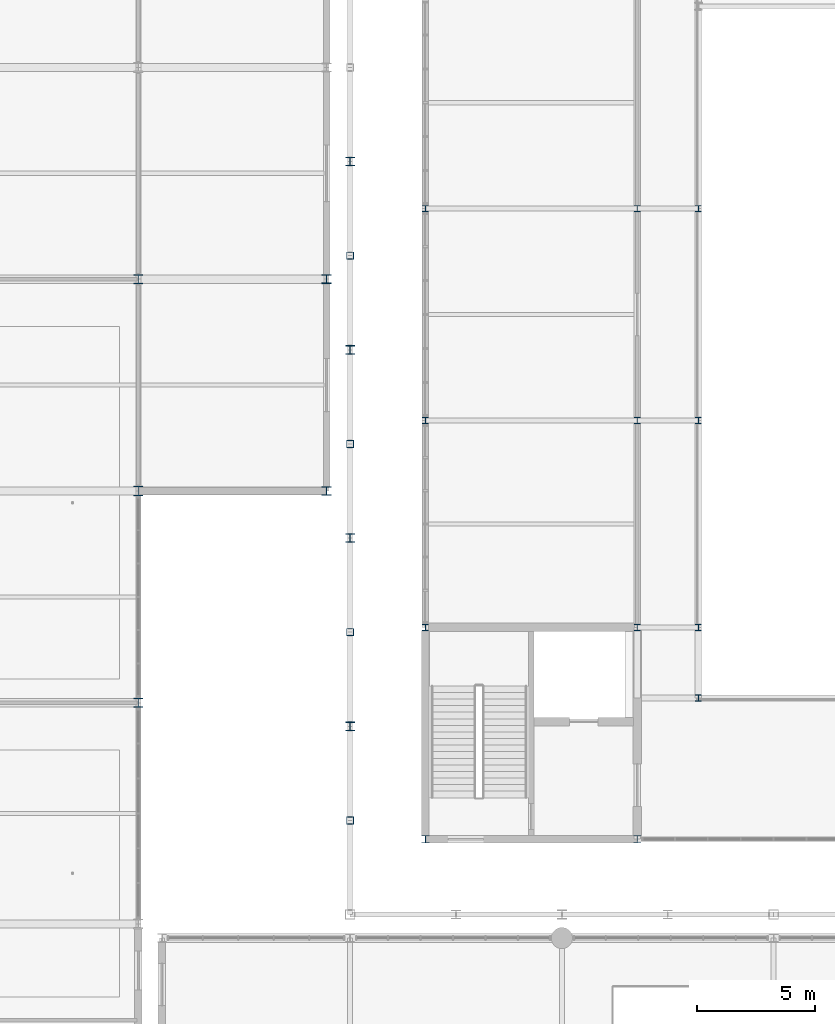
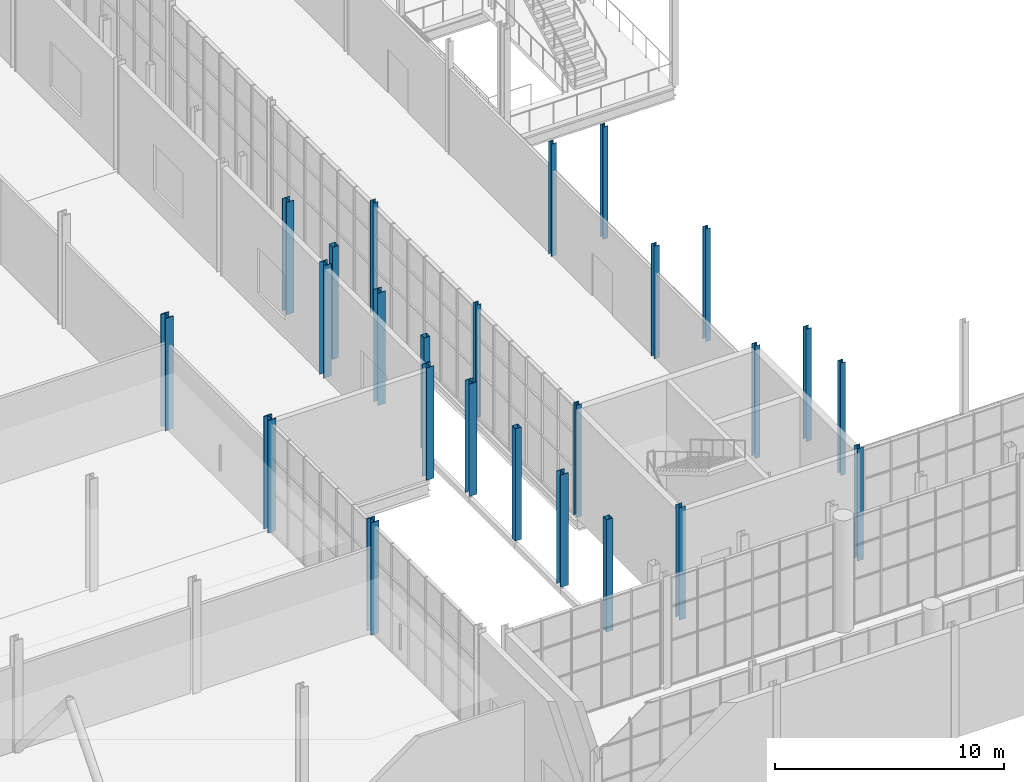
# One storey, part 9 of 159: 25 columns.
"""IFC4 building model written with IfcOpenShell, lengths in metres."""

from ifc_helpers import new_model, si_unit, direction, frame, origin, origin_2d, place, context, subcontext, project, spatial, hollow_rectangle, i_section, extrude, material, material_profile, profile_set, type_object, element, save


model = new_model("IFC4")

# Units and contexts
model_context = context("Model", 3, precision=1e-05, world=origin(), true_north=direction((0.0, 1.0)))
body_context = subcontext(model_context, "Body", "Model", "MODEL_VIEW")
ifc_project = project(units=[si_unit("LENGTHUNIT", "METRE"), si_unit("AREAUNIT", "SQUARE_METRE"), si_unit("VOLUMEUNIT", "CUBIC_METRE"), si_unit("PLANEANGLEUNIT", "RADIAN"), si_unit("MASSUNIT", "GRAM", prefix="KILO")], contexts=[model_context])

# Site, building, storey
site_placement = place(None, origin())
site = spatial("IfcSite", under=ifc_project, at=site_placement, CompositionType="ELEMENT")
building_placement = place(site_placement, origin())
building = spatial("IfcBuilding", under=site, at=building_placement, Name="Cazmaro Siding Exhibition Halls", CompositionType="ELEMENT")
storey_placement = place(building_placement, frame((0.0, 0.0, 6.0)))
storey = spatial("IfcBuildingStorey", under=building, at=storey_placement, Name="L01", CompositionType="ELEMENT", Elevation=6.0)

# Columns
ifc_material_1 = material(Name="Steel ASTM A992 Grade 50", Category="steel")
ifc_material_profile_1 = material_profile(ifc_material_1, i_section(OverallWidth=0.406005859375, OverallDepth=0.416015625, WebThickness=0.030029296875, FlangeThickness=0.048095703125, at=origin_2d()), Name="W14X257")
ifc_profile_set_1 = profile_set([ifc_material_profile_1], Name="Steel ASTM A992 Grade 50")
column_type_1 = type_object("IfcColumnType", Name="C-01", PredefinedType="COLUMN", material=ifc_profile_set_1)
for number, where, z_axis, x_axis, name in (
    (1, (36.0, 73.0, 0.0), (0.0, 0.0, 1.0), (1.0, 0.0, 0.0), "Column C-01 COL-1050"),
    (2, (36.0, 82.0, 0.0), (0.0, 0.0, 1.0), (1.0, 0.0, 0.0), "Column C-01 COL-1054"),
    (3, (36.0, 91.0, 0.0), (0.0, 0.0, 1.0), (1.0, 0.0, 0.0), "Column C-01 COL-1058"),
):
    element("IfcColumn", number, at=place(storey_placement, frame(where, z_axis=z_axis, x_axis=x_axis)), inside=storey, type_object=column_type_1, Name=name, PredefinedType="COLUMN", context=body_context, shape_type="SweptSolid", body=[
        extrude(i_section(OverallWidth=0.406005859375, OverallDepth=0.416015625, WebThickness=0.030029296875, FlangeThickness=0.048095703125, at=origin_2d()), origin(), (0.0, 0.0, 1.0), 6.0),
    ])
ifc_material_2 = material(Name="Steel ASTM A992 Grade 50", Category="steel")
ifc_material_profile_2 = material_profile(ifc_material_2, i_section(OverallWidth=0.39208984375, OverallDepth=0.3759765625, WebThickness=0.01708984375, FlangeThickness=0.028076171875, at=origin_2d()), Name="W14X145")
ifc_profile_set_2 = profile_set([ifc_material_profile_2], Name="Steel ASTM A992 Grade 50")
column_type_2 = type_object("IfcColumnType", Name="C-03", PredefinedType="COLUMN", material=ifc_profile_set_2)
for number, where, z_axis, x_axis, name in (
    (4, (45.0, 72.0, 0.0), (0.0, 0.0, 1.0), (1.0, 0.0, 0.0), "Column C-03 COL-0179"),
    (5, (45.0, 80.0, 0.0), (0.0, 0.0, 1.0), (1.0, 0.0, 0.0), "Column C-03 COL-0185"),
    (6, (45.0, 88.0, 0.0), (0.0, 0.0, 1.0), (1.0, 0.0, 0.0), "Column C-03 COL-0191"),
    (7, (45.0, 96.0, 0.0), (0.0, 0.0, 1.0), (1.0, 0.0, 0.0), "Column C-03 COL-0197"),
    (8, (44.0, 82.0, 0.0), (0.0, 0.0, 1.0), (1.0, 0.0, 0.0), "Column C-03 COL-1082"),
    (9, (44.0, 91.0, 0.0), (0.0, 0.0, 1.0), (1.0, 0.0, 0.0), "Column C-03 COL-1084"),
):
    element("IfcColumn", number, at=place(storey_placement, frame(where, z_axis=z_axis, x_axis=x_axis)), inside=storey, type_object=column_type_2, Name=name, PredefinedType="COLUMN", context=body_context, shape_type="SweptSolid", body=[
        extrude(i_section(OverallWidth=0.39208984375, OverallDepth=0.3759765625, WebThickness=0.01708984375, FlangeThickness=0.028076171875, at=origin_2d()), origin(), (0.0, 0.0, 1.0), 6.0),
    ])
ifc_material_3 = material(Name="Steel ASTM A992 Grade 50", Category="steel")
ifc_material_profile_3 = material_profile(ifc_material_3, i_section(OverallWidth=0.304931640625, OverallDepth=0.306884765625, WebThickness=0.010009765625, FlangeThickness=0.014892578125, at=origin_2d()), Name="W12X65")
ifc_profile_set_3 = profile_set([ifc_material_profile_3], Name="Steel ASTM A992 Grade 50")
column_type_3 = type_object("IfcColumnType", Name="C-06", PredefinedType="COLUMN", material=ifc_profile_set_3)
for number, where, z_axis, x_axis, name in (
    (10, (48.199951171875, 67.199951171875, 0.0), (0.0, 0.0, 1.0), (1.0, 0.0, 0.0), "Column C-06 COL-0260"),
    (11, (57.199951171875, 67.199951171875, 0.0), (0.0, 0.0, 1.0), (1.0, 0.0, 0.0), "Column C-06 COL-0268"),
):
    element("IfcColumn", number, at=place(storey_placement, frame(where, z_axis=z_axis, x_axis=x_axis)), inside=storey, type_object=column_type_3, Name=name, PredefinedType="COLUMN", context=body_context, shape_type="SweptSolid", body=[
        extrude(i_section(OverallWidth=0.304931640625, OverallDepth=0.306884765625, WebThickness=0.010009765625, FlangeThickness=0.014892578125, at=origin_2d()), origin(), (0.0, 0.0, 1.0), 6.0),
    ])
ifc_material_4 = material(Name="Steel ASTM A992 Grade 50", Category="steel")
ifc_material_profile_4 = material_profile(ifc_material_4, i_section(OverallWidth=0.257080078125, OverallDepth=0.263916015625, WebThickness=0.011962890625, FlangeThickness=0.02001953125, at=origin_2d()), Name="W10X68")
ifc_profile_set_4 = profile_set([ifc_material_profile_4], Name="Steel ASTM A992 Grade 50")
column_type_4 = type_object("IfcColumnType", Name="C-14", PredefinedType="COLUMN", material=ifc_profile_set_4)
for number, where, z_axis, x_axis, name in (
    (12, (48.199951171875, 76.199951171875, 0.0), (0.0, 0.0, 1.0), (1.0, 0.0, 0.0), "Column C-14 COL-0392"),
    (13, (48.199951171875, 85.0, 0.0), (0.0, 0.0, 1.0), (1.0, 0.0, 0.0), "Column C-14 COL-0395"),
    (14, (48.199951171875, 94.0, 0.0), (0.0, 0.0, 1.0), (1.0, 0.0, 0.0), "Column C-14 COL-0398"),
    (15, (57.199951171875, 76.199951171875, 0.0), (0.0, 0.0, 1.0), (1.0, 0.0, 0.0), "Column C-14 COL-0404"),
    (16, (57.199951171875, 85.0, 0.0), (0.0, 0.0, 1.0), (1.0, 0.0, 0.0), "Column C-14 COL-0407"),
    (17, (57.199951171875, 94.0, 0.0), (0.0, 0.0, 1.0), (1.0, 0.0, 0.0), "Column C-14 COL-0409"),
    (18, (59.800048828125, 76.199951171875, 0.0), (0.0, 0.0, 1.0), (1.0, 0.0, 0.0), "Column C-14 COL-0413"),
    (19, (59.800048828125, 85.0, 0.0), (0.0, 0.0, 1.0), (1.0, 0.0, 0.0), "Column C-14 COL-0415"),
    (20, (59.800048828125, 94.0, 0.0), (0.0, 0.0, 1.0), (1.0, 0.0, 0.0), "Column C-14 COL-0417"),
    (21, (59.800048828125, 73.199951171875, 0.0), (0.0, 0.0, 1.0), (1.0, 0.0, 0.0), "Column C-14 COL-0450"),
):
    element("IfcColumn", number, at=place(storey_placement, frame(where, z_axis=z_axis, x_axis=x_axis)), inside=storey, type_object=column_type_4, Name=name, PredefinedType="COLUMN", context=body_context, shape_type="SweptSolid", body=[
        extrude(i_section(OverallWidth=0.257080078125, OverallDepth=0.263916015625, WebThickness=0.011962890625, FlangeThickness=0.02001953125, at=origin_2d()), origin(), (0.0, 0.0, 1.0), 6.0),
    ])
ifc_material_5 = material(Name="Steel ASTM A500 Grade C", Category="steel")
ifc_material_profile_5 = material_profile(ifc_material_5, hollow_rectangle(XDim=0.304931640625, YDim=0.304931640625, WallThickness=0.014892578125, at=origin_2d()), Name="HSS12X12X5/8")
ifc_profile_set_5 = profile_set([ifc_material_profile_5], Name="Steel ASTM A500 Grade C")
column_type_5 = type_object("IfcColumnType", Name="PL-02", PredefinedType="PILASTER", material=ifc_profile_set_5)
for number, where, z_axis, x_axis, name in (
    (22, (45.0, 68.0, 0.0), (0.0, 0.0, 1.0), (1.0, 0.0, 0.0), "Column PL-02 COL-0176"),
    (23, (45.0, 76.0, 0.0), (0.0, 0.0, 1.0), (1.0, 0.0, 0.0), "Column PL-02 COL-0182"),
    (24, (45.0, 84.0, 0.0), (0.0, 0.0, 1.0), (1.0, 0.0, 0.0), "Column PL-02 COL-0188"),
    (25, (45.0, 92.0, 0.0), (0.0, 0.0, 1.0), (1.0, 0.0, 0.0), "Column PL-02 COL-0194"),
):
    element("IfcColumn", number, at=place(storey_placement, frame(where, z_axis=z_axis, x_axis=x_axis)), inside=storey, type_object=column_type_5, Name=name, PredefinedType="PILASTER", context=body_context, shape_type="SweptSolid", body=[
        extrude(hollow_rectangle(XDim=0.304931640625, YDim=0.304931640625, WallThickness=0.014892578125, at=origin_2d()), origin(), (0.0, 0.0, 1.0), 6.0),
    ])

save(model, "model.ifc")
